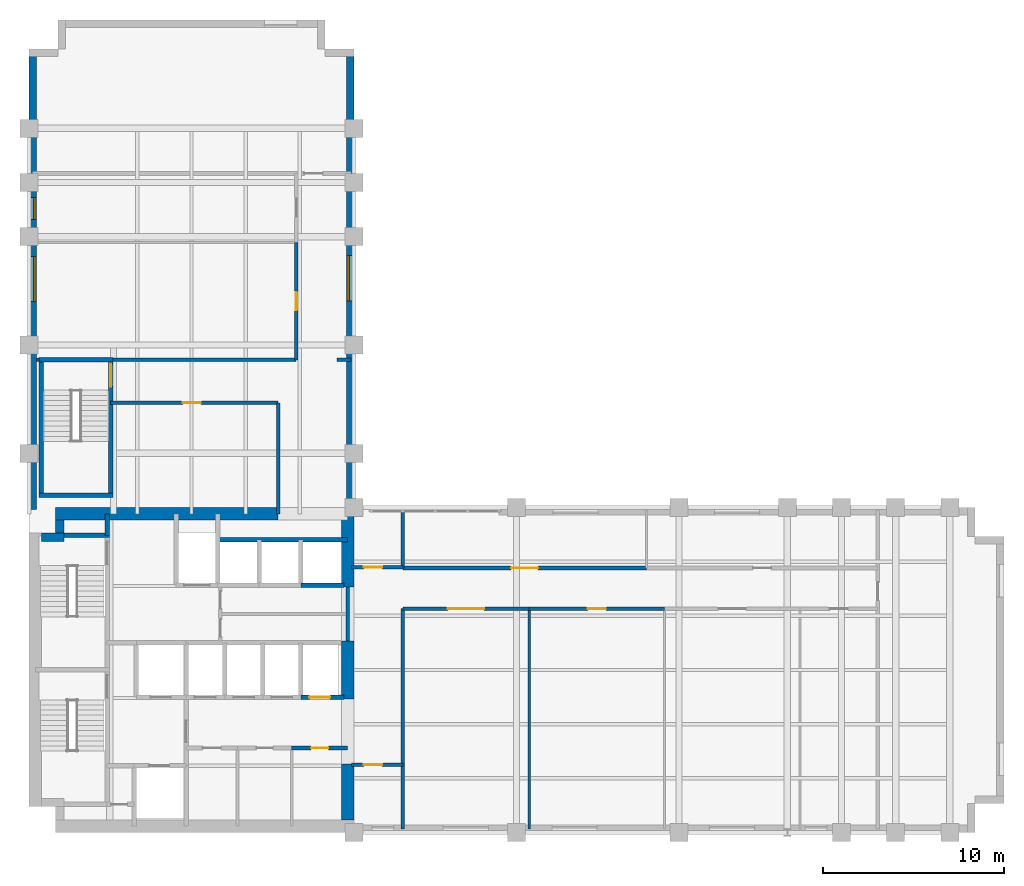
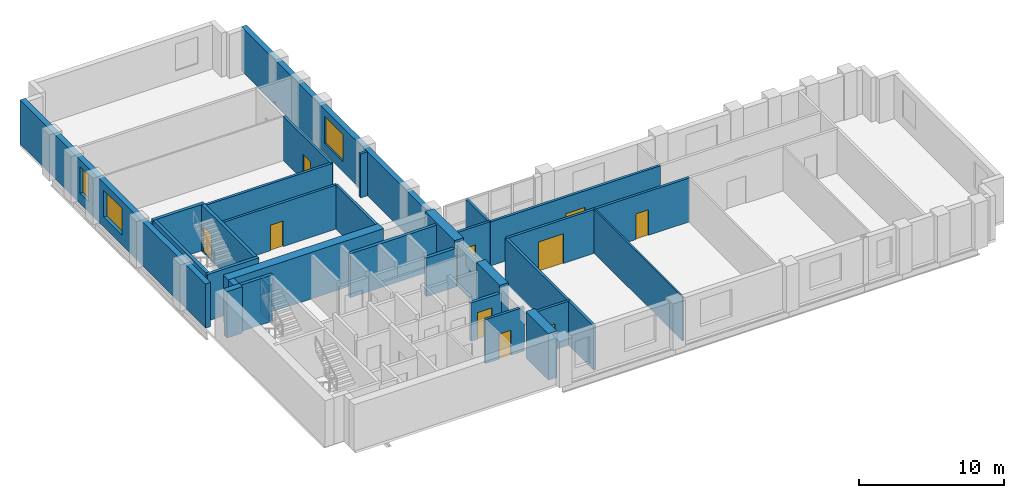
# One storey, part 5 of 8: 33 walls, 10 doors, 3 windows, 13 openings.
"""IFC4 building model written with IfcOpenShell, lengths in metres."""

from ifc_helpers import new_model, si_unit, direction, frame, frame_2d, origin, place, context, subcontext, project, spatial, rectangle, extrude, material, layer, layer_set, type_object, element, fill, save


model = new_model("IFC4")

# Units and contexts
model_context = context("Model", 3, precision=1e-05, world=origin(), true_north=direction((0.0, 1.0)))
body_context = subcontext(model_context, "Body", "Model", "MODEL_VIEW")
ifc_project = project(units=[si_unit("LENGTHUNIT", "METRE"), si_unit("AREAUNIT", "SQUARE_METRE"), si_unit("VOLUMEUNIT", "CUBIC_METRE"), si_unit("PLANEANGLEUNIT", "RADIAN"), si_unit("MASSUNIT", "GRAM", prefix="KILO")], contexts=[model_context])

# Site, building, storey
site_placement = place(None, origin())
site = spatial("IfcSite", under=ifc_project, at=site_placement, CompositionType="ELEMENT")
building_placement = place(site_placement, origin())
building = spatial("IfcBuilding", under=site, at=building_placement, Name="Mawjdan Bourse Tower", CompositionType="ELEMENT")
storey_placement = place(building_placement, frame((0.0, 0.0, 132.300048828125)))
storey = spatial("IfcBuildingStorey", under=building, at=storey_placement, Name="L31", CompositionType="ELEMENT", Elevation=132.300048828125)

# Wall, opening, window
ifc_material_1 = material(Name="Brick Masonry Buff", Category="masonry")
ifc_layer_1 = layer(ifc_material_1, 0.419921875)
ifc_layer_set_1 = layer_set([ifc_layer_1], Name="Brick Masonry Buff")
wall_type_1 = type_object("IfcWallType", Name="WL-BRK-BUFF-420", PredefinedType="STANDARD", material=ifc_layer_set_1)
wall_1_placement = place(storey_placement, frame((23.7900390625, 21.0, 0.0), z_axis=(0.0, 0.0, 1.0), x_axis=(0.0, 1.0, 0.0)))
wall_1 = element("IfcWall", 1, at=wall_1_placement, inside=storey, type_object=wall_type_1, Name="L31 Exterior Brick Wall 8", PredefinedType="STANDARD", context=body_context, shape_type="SweptSolid", body=[
    extrude(rectangle(XDim=25.39990234375, YDim=0.419921875, at=frame_2d((12.699951171875, 0.0))), origin(), (0.0, 0.0, 1.0), 3.699951171875),
])
opening_1_placement = place(wall_1_placement, frame((11.449951171875, 0.0, 0.85009765625)))
opening_1 = element("IfcOpeningElement", 2, at=opening_1_placement, cuts=wall_1, Name="Opening W-L31-05", PredefinedType="OPENING", context=body_context, shape_type="SweptSolid", body=[
    extrude(rectangle(XDim=2.5, YDim=2.25, at=frame_2d((1.25, 1.125))), frame((0.0, 0.219970703125, 0.0), z_axis=(0.0, -1.0, 0.0), x_axis=(1.0, 0.0, 0.0)), (0.0, 0.0, 1.0), 0.43994140625),
])
ifc_material_2 = material(Name="Solar-Control Clear Double Glazing", Category="glass")
window_type_1 = type_object("IfcWindowType", Name="WN-Z2-2500", PartitioningType="SINGLE_PANEL", PredefinedType="WINDOW", material=ifc_material_2)
window_1_placement = place(opening_1_placement, origin())
window_1 = element("IfcWindow", 3, at=window_1_placement, inside=storey, type_object=window_type_1, Name="L31 Deep-Set Masonry Window W-L31-05", OverallHeight=2.25, OverallWidth=2.5, PartitioningType="SINGLE_PANEL", PredefinedType="WINDOW", context=body_context, shape_type="SweptSolid", body=[
    extrude(rectangle(XDim=2.5, YDim=2.25, at=frame_2d((1.25, 1.125))), frame((0.0, 0.110107421875, 0.0), z_axis=(0.0, -1.0, 0.0), x_axis=(1.0, 0.0, 0.0)), (0.0, 0.0, 1.0), 0.06005859375),
])
fill(opening_1, window_1)

# Wall, openings, windows
wall_2_placement = place(storey_placement, frame((6.2099609375, 46.39990234375, 0.0), z_axis=(0.0, 0.0, 1.0), x_axis=(0.0, -1.0, 0.0)))
wall_2 = element("IfcWall", 4, at=wall_2_placement, inside=storey, type_object=wall_type_1, Name="L31 Exterior Brick Wall 14", PredefinedType="STANDARD", context=body_context, shape_type="SweptSolid", body=[
    extrude(rectangle(XDim=25.5, YDim=0.419921875, at=frame_2d((12.75, 0.0))), origin(), (0.0, 0.0, 1.0), 3.699951171875),
])
opening_2_placement = place(wall_2_placement, frame((11.5, 0.0, 0.85009765625)))
opening_2 = element("IfcOpeningElement", 5, at=opening_2_placement, cuts=wall_2, Name="Opening W-L31-07", PredefinedType="OPENING", context=body_context, shape_type="SweptSolid", body=[
    extrude(rectangle(XDim=2.5, YDim=2.25, at=frame_2d((1.25, 1.125))), frame((0.0, 0.219970703125, 0.0), z_axis=(0.0, -1.0, 0.0), x_axis=(1.0, 0.0, 0.0)), (0.0, 0.0, 1.0), 0.43994140625),
])
opening_3_placement = place(wall_2_placement, frame((8.236083984375, 0.0, 0.85009765625)))
opening_3 = element("IfcOpeningElement", 6, at=opening_3_placement, cuts=wall_2, Name="Opening W-L31-13", PredefinedType="OPENING", context=body_context, shape_type="SweptSolid", body=[
    extrude(rectangle(XDim=1.199951171875, YDim=2.25, at=frame_2d((0.60009765625, 1.125))), frame((0.0, 0.219970703125, 0.0), z_axis=(0.0, -1.0, 0.0), x_axis=(1.0, 0.0, 0.0)), (0.0, 0.0, 1.0), 0.43994140625),
])
window_type_2 = type_object("IfcWindowType", Name="WN-Z2-1200", PartitioningType="SINGLE_PANEL", PredefinedType="WINDOW", material=ifc_material_2)
window_2_placement = place(opening_3_placement, origin())
window_2 = element("IfcWindow", 7, at=window_2_placement, inside=storey, type_object=window_type_2, Name="L31 Deep-Set Masonry Window W-L31-13", OverallHeight=2.25, OverallWidth=1.199951171875, PartitioningType="SINGLE_PANEL", PredefinedType="WINDOW", context=body_context, shape_type="SweptSolid", body=[
    extrude(rectangle(XDim=1.199951171875, YDim=2.25, at=frame_2d((0.60009765625, 1.125))), frame((0.0, 0.110107421875, 0.0), z_axis=(0.0, -1.0, 0.0), x_axis=(1.0, 0.0, 0.0)), (0.0, 0.0, 1.0), 0.06005859375),
])
fill(opening_3, window_2)
window_3_placement = place(opening_2_placement, origin())
window_3 = element("IfcWindow", 8, at=window_3_placement, inside=storey, type_object=window_type_1, Name="L31 Deep-Set Masonry Window W-L31-07", OverallHeight=2.25, OverallWidth=2.5, PartitioningType="SINGLE_PANEL", PredefinedType="WINDOW", context=body_context, shape_type="SweptSolid", body=[
    extrude(rectangle(XDim=2.5, YDim=2.25, at=frame_2d((1.25, 1.125))), frame((0.0, 0.110107421875, 0.0), z_axis=(0.0, -1.0, 0.0), x_axis=(1.0, 0.0, 0.0)), (0.0, 0.0, 1.0), 0.06005859375),
])
fill(opening_2, window_3)

# Wall, opening, door
ifc_material_3 = material(Name="Gypsum Fireboard Assembly")
ifc_layer_2 = layer(ifc_material_3, 0.199951171875)
ifc_layer_set_2 = layer_set([ifc_layer_2], Name="Gypsum Fireboard Assembly")
wall_type_2 = type_object("IfcWallType", Name="WL-CMP-200", PredefinedType="PARTITIONING", material=ifc_layer_set_2)
wall_3_placement = place(storey_placement, frame((20.550048828125, 7.679931640625, 0.0), z_axis=(0.0, 0.0, 1.0), x_axis=(1.0, 0.0, 0.0)))
wall_3 = element("IfcWall", 9, at=wall_3_placement, inside=storey, type_object=wall_type_2, Name="L31 Staff Tea Pantry North Wall", PredefinedType="PARTITIONING", context=body_context, shape_type="SweptSolid", body=[
    extrude(rectangle(XDim=3.099853515625, YDim=0.199951171875, at=frame_2d((1.5498046875, 0.0))), origin(), (0.0, 0.0, 1.0), 3.68994140625),
])
opening_4_placement = place(wall_3_placement, frame((1.074951171875, 0.0, 0.0)))
opening_4 = element("IfcOpeningElement", 10, at=opening_4_placement, cuts=wall_3, Name="Opening D-L31-12", PredefinedType="OPENING", context=body_context, shape_type="SweptSolid", body=[
    extrude(rectangle(XDim=0.949951171875, YDim=2.10009765625, at=frame_2d((0.47509765625, 1.050048828125))), frame((0.0, 0.10986328125, 0.0), z_axis=(0.0, -1.0, 0.0), x_axis=(1.0, 0.0, 0.0)), (0.0, 0.0, 1.0), 0.219970703125),
])
ifc_material_4 = material(Name="Moisture-Resistant Laminate Timber", Category="wood")
door_type_1 = type_object("IfcDoorType", Name="DR-WET-0950", OperationType="NOTDEFINED", PredefinedType="DOOR", material=ifc_material_4)
door_1_placement = place(opening_4_placement, origin())
door_1 = element("IfcDoor", 11, at=door_1_placement, inside=storey, type_object=door_type_1, Name="L31 Staff Tea Pantry Door D-L31-12", OperationType="SINGLE_SWING_RIGHT", OverallHeight=2.10009765625, OverallWidth=0.949951171875, PredefinedType="DOOR", context=body_context, shape_type="SweptSolid", body=[
    extrude(rectangle(XDim=0.949951171875, YDim=2.10009765625, at=frame_2d((0.47509765625, 1.050048828125))), frame((0.0, 0.02490234375, 0.0), z_axis=(0.0, -1.0, 0.0), x_axis=(1.0, 0.0, 0.0)), (0.0, 0.0, 1.0), 0.050048828125),
])
fill(opening_4, door_1)

# Wall
wall_4_placement = place(storey_placement, frame((23.64990234375, 13.60009765625, 0.0), z_axis=(0.0, 0.0, 1.0), x_axis=(0.0, 1.0, 0.0)))
element("IfcWall", 12, at=wall_4_placement, inside=storey, type_object=wall_type_2, Name="L31 Core Restroom East Enclosing Wall", PredefinedType="PARTITIONING", context=body_context, shape_type="SweptSolid", body=[
    extrude(rectangle(XDim=3.0, YDim=0.199951171875, at=frame_2d((1.5, 0.0))), origin(), (0.0, 0.0, 1.0), 3.68994140625),
])

# Wall, opening, door
wall_5_placement = place(storey_placement, frame((23.85009765625, 6.75, 0.0), z_axis=(0.0, 0.0, 1.0), x_axis=(1.0, 0.0, 0.0)))
wall_5 = element("IfcWall", 13, at=wall_5_placement, inside=storey, type_object=wall_type_2, Name="L31 West Pocket North Wall", PredefinedType="PARTITIONING", context=body_context, shape_type="SweptSolid", body=[
    extrude(rectangle(XDim=2.849853515625, YDim=0.199951171875, at=frame_2d((1.4248046875, 0.0))), origin(), (0.0, 0.0, 1.0), 3.68994140625),
])
opening_5_placement = place(wall_5_placement, frame((0.699951171875, 0.0, 0.0)))
opening_5 = element("IfcOpeningElement", 14, at=opening_5_placement, cuts=wall_5, Name="Opening D-L31-20", PredefinedType="OPENING", context=body_context, shape_type="SweptSolid", body=[
    extrude(rectangle(XDim=1.0, YDim=2.14990234375, at=frame_2d((0.5, 1.074951171875))), frame((0.0, 0.10986328125, 0.0), z_axis=(0.0, -1.0, 0.0), x_axis=(1.0, 0.0, 0.0)), (0.0, 0.0, 1.0), 0.219970703125),
])
ifc_material_5 = material(Name="Hardwood Acoustic Leaf", Category="wood")
door_type_2 = type_object("IfcDoorType", Name="DR-OFC-1000", OperationType="NOTDEFINED", PredefinedType="DOOR", material=ifc_material_5)
door_2_placement = place(opening_5_placement, origin())
door_2 = element("IfcDoor", 15, at=door_2_placement, inside=storey, type_object=door_type_2, Name="L31 West Pocket Office Door D-L31-20", OperationType="SINGLE_SWING_RIGHT", OverallHeight=2.14990234375, OverallWidth=1.0, PredefinedType="DOOR", context=body_context, shape_type="SweptSolid", body=[
    extrude(rectangle(XDim=1.0, YDim=2.14990234375, at=frame_2d((0.5, 1.074951171875))), frame((0.0, 0.02490234375, 0.0), z_axis=(0.0, -1.0, 0.0), x_axis=(1.0, 0.0, 0.0)), (0.0, 0.0, 1.0), 0.050048828125),
])
fill(opening_5, door_2)

wall_6_placement = place(storey_placement, frame((23.85009765625, 17.699951171875, 0.0), z_axis=(0.0, 0.0, 1.0), x_axis=(1.0, 0.0, 0.0)))
wall_6 = element("IfcWall", 16, at=wall_6_placement, inside=storey, type_object=wall_type_2, Name="L31 West North Pocket Wall", PredefinedType="PARTITIONING", context=body_context, shape_type="SweptSolid", body=[
    extrude(rectangle(XDim=2.849853515625, YDim=0.199951171875, at=frame_2d((1.4248046875, 0.0))), origin(), (0.0, 0.0, 1.0), 3.68994140625),
])
opening_6_placement = place(wall_6_placement, frame((0.699951171875, 0.0, 0.0)))
opening_6 = element("IfcOpeningElement", 17, at=opening_6_placement, cuts=wall_6, Name="Opening D-L31-21", PredefinedType="OPENING", context=body_context, shape_type="SweptSolid", body=[
    extrude(rectangle(XDim=1.0, YDim=2.14990234375, at=frame_2d((0.5, 1.074951171875))), frame((0.0, 0.10986328125, 0.0), z_axis=(0.0, -1.0, 0.0), x_axis=(1.0, 0.0, 0.0)), (0.0, 0.0, 1.0), 0.219970703125),
])
door_3_placement = place(opening_6_placement, origin())
door_3 = element("IfcDoor", 18, at=door_3_placement, inside=storey, type_object=door_type_2, Name="L31 West North Pocket Door D-L31-21", OperationType="SINGLE_SWING_LEFT", OverallHeight=2.14990234375, OverallWidth=1.0, PredefinedType="DOOR", context=body_context, shape_type="SweptSolid", body=[
    extrude(rectangle(XDim=1.0, YDim=2.14990234375, at=frame_2d((0.5, 1.074951171875))), frame((0.0, 0.02490234375, 0.0), z_axis=(0.0, -1.0, 0.0), x_axis=(1.0, 0.0, 0.0)), (0.0, 0.0, 1.0), 0.050048828125),
])
fill(opening_6, door_3)

# Walls
wall_7_placement = place(storey_placement, frame((26.699951171875, 3.179931640625, 0.0), z_axis=(0.0, 0.0, 1.0), x_axis=(0.0, 1.0, 0.0)))
element("IfcWall", 19, at=wall_7_placement, inside=storey, type_object=wall_type_2, Name="L31 Vestibule South East Wall", PredefinedType="PARTITIONING", context=body_context, shape_type="SweptSolid", body=[
    extrude(rectangle(XDim=12.219970703125, YDim=0.199951171875, at=frame_2d((6.10986328125, 0.0))), origin(), (0.0, 0.0, 1.0), 3.68994140625),
])
wall_8_placement = place(storey_placement, frame((26.699951171875, 17.64990234375, 0.0), z_axis=(0.0, 0.0, 1.0), x_axis=(0.0, 1.0, 0.0)))
element("IfcWall", 20, at=wall_8_placement, inside=storey, type_object=wall_type_2, Name="L31 Vestibule North East Wall", PredefinedType="PARTITIONING", context=body_context, shape_type="SweptSolid", body=[
    extrude(rectangle(XDim=3.170166015625, YDim=0.199951171875, at=frame_2d((1.5849609375, 0.0))), origin(), (0.0, 0.0, 1.0), 3.68994140625),
])

# Wall, opening, door
wall_9_placement = place(storey_placement, frame((26.699951171875, 15.39990234375, 0.0), z_axis=(0.0, 0.0, 1.0), x_axis=(1.0, 0.0, 0.0)))
wall_9 = element("IfcWall", 21, at=wall_9_placement, inside=storey, type_object=wall_type_2, Name="L31 Custody Services Hall Corridor Wall", PredefinedType="PARTITIONING", context=body_context, shape_type="SweptSolid", body=[
    extrude(rectangle(XDim=7.0, YDim=0.199951171875, at=frame_2d((3.5, 0.0))), origin(), (0.0, 0.0, 1.0), 3.68994140625),
])
opening_7_placement = place(wall_9_placement, frame((2.5, 0.0, 0.0)))
opening_7 = element("IfcOpeningElement", 22, at=opening_7_placement, cuts=wall_9, Name="Opening D-L31-22", PredefinedType="OPENING", context=body_context, shape_type="SweptSolid", body=[
    extrude(rectangle(XDim=2.0, YDim=2.5, at=frame_2d((1.0, 1.25))), frame((0.0, 0.10986328125, 0.0), z_axis=(0.0, -1.0, 0.0), x_axis=(1.0, 0.0, 0.0)), (0.0, 0.0, 1.0), 0.219970703125),
])
ifc_material_6 = material(Name="Acoustic Veneered Timber", Category="wood")
door_type_3 = type_object("IfcDoorType", Name="DR-ASM-2000", OperationType="DOUBLE_DOOR_SINGLE_SWING", PredefinedType="DOOR", material=ifc_material_6)
door_4_placement = place(opening_7_placement, origin())
door_4 = element("IfcDoor", 23, at=door_4_placement, inside=storey, type_object=door_type_3, Name="L31 Custody Services Hall Door D-L31-22", OperationType="DOUBLE_DOOR_SINGLE_SWING", OverallHeight=2.5, OverallWidth=2.0, PredefinedType="DOOR", context=body_context, shape_type="SweptSolid", body=[
    extrude(rectangle(XDim=2.0, YDim=2.5, at=frame_2d((1.0, 1.25))), frame((0.0, 0.02490234375, 0.0), z_axis=(0.0, -1.0, 0.0), x_axis=(1.0, 0.0, 0.0)), (0.0, 0.0, 1.0), 0.050048828125),
])
fill(opening_7, door_4)

wall_10_placement = place(storey_placement, frame((33.699951171875, 15.39990234375, 0.0), z_axis=(0.0, 0.0, 1.0), x_axis=(1.0, 0.0, 0.0)))
wall_10 = element("IfcWall", 24, at=wall_10_placement, inside=storey, type_object=wall_type_2, Name="L31 Executive Office Corridor Wall", PredefinedType="PARTITIONING", context=body_context, shape_type="SweptSolid", body=[
    extrude(rectangle(XDim=7.5, YDim=0.199951171875, at=frame_2d((3.75, 0.0))), origin(), (0.0, 0.0, 1.0), 3.68994140625),
])
opening_8_placement = place(wall_10_placement, frame((3.25, 0.0, 0.0)))
opening_8 = element("IfcOpeningElement", 25, at=opening_8_placement, cuts=wall_10, Name="Opening D-L31-23", PredefinedType="OPENING", context=body_context, shape_type="SweptSolid", body=[
    extrude(rectangle(XDim=1.0, YDim=2.14990234375, at=frame_2d((0.5, 1.074951171875))), frame((0.0, 0.10986328125, 0.0), z_axis=(0.0, -1.0, 0.0), x_axis=(1.0, 0.0, 0.0)), (0.0, 0.0, 1.0), 0.219970703125),
])
door_5_placement = place(opening_8_placement, origin())
door_5 = element("IfcDoor", 26, at=door_5_placement, inside=storey, type_object=door_type_2, Name="L31 Executive Office Door D-L31-23", OperationType="SINGLE_SWING_RIGHT", OverallHeight=2.14990234375, OverallWidth=1.0, PredefinedType="DOOR", context=body_context, shape_type="SweptSolid", body=[
    extrude(rectangle(XDim=1.0, YDim=2.14990234375, at=frame_2d((0.5, 1.074951171875))), frame((0.0, 0.02490234375, 0.0), z_axis=(0.0, -1.0, 0.0), x_axis=(1.0, 0.0, 0.0)), (0.0, 0.0, 1.0), 0.050048828125),
])
fill(opening_8, door_5)

wall_11_placement = place(storey_placement, frame((26.699951171875, 17.64990234375, 0.0), z_axis=(0.0, 0.0, 1.0), x_axis=(1.0, 0.0, 0.0)))
wall_11 = element("IfcWall", 27, at=wall_11_placement, inside=storey, type_object=wall_type_2, Name="L31 Conference Room Corridor Wall", PredefinedType="PARTITIONING", context=body_context, shape_type="SweptSolid", body=[
    extrude(rectangle(XDim=13.5, YDim=0.199951171875, at=frame_2d((6.75, 0.0))), origin(), (0.0, 0.0, 1.0), 3.68994140625),
])
opening_9_placement = place(wall_11_placement, frame((6.0, 0.0, 0.0)))
opening_9 = element("IfcOpeningElement", 28, at=opening_9_placement, cuts=wall_11, Name="Opening D-L31-26", PredefinedType="OPENING", context=body_context, shape_type="SweptSolid", body=[
    extrude(rectangle(XDim=1.5, YDim=2.300048828125, at=frame_2d((0.75, 1.14990234375))), frame((0.0, 0.10986328125, 0.0), z_axis=(0.0, -1.0, 0.0), x_axis=(1.0, 0.0, 0.0)), (0.0, 0.0, 1.0), 0.219970703125),
])
ifc_material_7 = material(Name="Acoustic Glazed Timber", Category="wood")
door_type_4 = type_object("IfcDoorType", Name="DR-CNF-1500", OperationType="DOUBLE_DOOR_SINGLE_SWING", PredefinedType="DOOR", material=ifc_material_7)
door_6_placement = place(opening_9_placement, origin())
door_6 = element("IfcDoor", 29, at=door_6_placement, inside=storey, type_object=door_type_4, Name="L31 Conference Room Door D-L31-26", OperationType="DOUBLE_DOOR_SINGLE_SWING", OverallHeight=2.300048828125, OverallWidth=1.5, PredefinedType="DOOR", context=body_context, shape_type="SweptSolid", body=[
    extrude(rectangle(XDim=1.5, YDim=2.300048828125, at=frame_2d((0.75, 1.14990234375))), frame((0.0, 0.02490234375, 0.0), z_axis=(0.0, -1.0, 0.0), x_axis=(1.0, 0.0, 0.0)), (0.0, 0.0, 1.0), 0.050048828125),
])
fill(opening_9, door_6)

wall_12_placement = place(storey_placement, frame((10.52001953125, 26.800048828125, 0.0), z_axis=(0.0, 0.0, 1.0), x_axis=(1.0, 0.0, 0.0)))
wall_12 = element("IfcWall", 30, at=wall_12_placement, inside=storey, type_object=wall_type_2, Name="L31 North Throat North Wall", PredefinedType="PARTITIONING", context=body_context, shape_type="SweptSolid", body=[
    extrude(rectangle(XDim=9.280029296875, YDim=0.199951171875, at=frame_2d((4.64013671875, 0.0))), origin(), (0.0, 0.0, 1.0), 3.68994140625),
])
opening_10_placement = place(wall_12_placement, frame((4.0, 0.0, 0.0)))
opening_10 = element("IfcOpeningElement", 31, at=opening_10_placement, cuts=wall_12, Name="Opening D-L31-29", PredefinedType="OPENING", context=body_context, shape_type="SweptSolid", body=[
    extrude(rectangle(XDim=1.0, YDim=2.14990234375, at=frame_2d((0.5, 1.074951171875))), frame((0.0, 0.10986328125, 0.0), z_axis=(0.0, -1.0, 0.0), x_axis=(1.0, 0.0, 0.0)), (0.0, 0.0, 1.0), 0.219970703125),
])
door_7_placement = place(opening_10_placement, origin())
door_7 = element("IfcDoor", 32, at=door_7_placement, inside=storey, type_object=door_type_2, Name="L31 North Throat Suite Door D-L31-29", OperationType="SINGLE_SWING_RIGHT", OverallHeight=2.14990234375, OverallWidth=1.0, PredefinedType="DOOR", context=body_context, shape_type="SweptSolid", body=[
    extrude(rectangle(XDim=1.0, YDim=2.14990234375, at=frame_2d((0.5, 1.074951171875))), frame((0.0, 0.02490234375, 0.0), z_axis=(0.0, -1.0, 0.0), x_axis=(1.0, 0.0, 0.0)), (0.0, 0.0, 1.0), 0.050048828125),
])
fill(opening_10, door_7)

# Walls
wall_13_placement = place(storey_placement, frame((19.800048828125, 20.64990234375, 0.0), z_axis=(0.0, 0.0, 1.0), x_axis=(0.0, 1.0, 0.0)))
element("IfcWall", 33, at=wall_13_placement, inside=storey, type_object=wall_type_2, Name="L31 North Throat East Wall", PredefinedType="PARTITIONING", context=body_context, shape_type="SweptSolid", body=[
    extrude(rectangle(XDim=6.150146484375, YDim=0.199951171875, at=frame_2d((3.0751953125, 0.0))), origin(), (0.0, 0.0, 1.0), 3.68994140625),
])
wall_14_placement = place(storey_placement, frame((6.419921875, 29.179931640625, 0.0), z_axis=(0.0, 0.0, 1.0), x_axis=(1.0, 0.0, 0.0)))
element("IfcWall", 34, at=wall_14_placement, inside=storey, type_object=wall_type_2, Name="L31 North West Band ST3 West Return", PredefinedType="PARTITIONING", context=body_context, shape_type="SweptSolid", body=[
    extrude(rectangle(XDim=0.135009765625, YDim=0.199951171875, at=frame_2d((0.0673828125, 0.0))), origin(), (0.0, 0.0, 1.0), 3.68994140625),
])
wall_15_placement = place(storey_placement, frame((10.6298828125, 29.179931640625, 0.0), z_axis=(0.0, 0.0, 1.0), x_axis=(1.0, 0.0, 0.0)))
element("IfcWall", 35, at=wall_15_placement, inside=storey, type_object=wall_type_2, Name="L31 North West Band South Wall", PredefinedType="PARTITIONING", context=body_context, shape_type="SweptSolid", body=[
    extrude(rectangle(XDim=10.170166015625, YDim=0.199951171875, at=frame_2d((5.0849609375, 0.0))), origin(), (0.0, 0.0, 1.0), 3.68994140625),
])
wall_16_placement = place(storey_placement, frame((23.050048828125, 29.179931640625, 0.0), z_axis=(0.0, 0.0, 1.0), x_axis=(1.0, 0.0, 0.0)))
element("IfcWall", 36, at=wall_16_placement, inside=storey, type_object=wall_type_2, Name="L31 North East Band South Wall", PredefinedType="PARTITIONING", context=body_context, shape_type="SweptSolid", body=[
    extrude(rectangle(XDim=0.77001953125, YDim=0.199951171875, at=frame_2d((0.385009765625, 0.0))), origin(), (0.0, 0.0, 1.0), 3.68994140625),
])

# Wall, opening, door
wall_17_placement = place(storey_placement, frame((20.800048828125, 29.179931640625, 0.0), z_axis=(0.0, 0.0, 1.0), x_axis=(0.0, 1.0, 0.0)))
wall_17 = element("IfcWall", 37, at=wall_17_placement, inside=storey, type_object=wall_type_2, Name="L31 Executive Office Corridor Wall", PredefinedType="PARTITIONING", context=body_context, shape_type="SweptSolid", body=[
    extrude(rectangle(XDim=6.5, YDim=0.199951171875, at=frame_2d((3.25, 0.0))), origin(), (0.0, 0.0, 1.0), 3.68994140625),
])
opening_11_placement = place(wall_17_placement, frame((2.75, 0.0, 0.0)))
opening_11 = element("IfcOpeningElement", 38, at=opening_11_placement, cuts=wall_17, Name="Opening D-L31-30", PredefinedType="OPENING", context=body_context, shape_type="SweptSolid", body=[
    extrude(rectangle(XDim=1.0, YDim=2.14990234375, at=frame_2d((0.5, 1.074951171875))), frame((0.0, 0.10986328125, 0.0), z_axis=(0.0, -1.0, 0.0), x_axis=(1.0, 0.0, 0.0)), (0.0, 0.0, 1.0), 0.219970703125),
])
door_8_placement = place(opening_11_placement, origin())
door_8 = element("IfcDoor", 39, at=door_8_placement, inside=storey, type_object=door_type_2, Name="L31 Executive Office Door D-L31-30", OperationType="SINGLE_SWING_LEFT", OverallHeight=2.14990234375, OverallWidth=1.0, PredefinedType="DOOR", context=body_context, shape_type="SweptSolid", body=[
    extrude(rectangle(XDim=1.0, YDim=2.14990234375, at=frame_2d((0.5, 1.074951171875))), frame((0.0, 0.02490234375, 0.0), z_axis=(0.0, -1.0, 0.0), x_axis=(1.0, 0.0, 0.0)), (0.0, 0.0, 1.0), 0.050048828125),
])
fill(opening_11, door_8)

# Walls
ifc_material_8 = material(Name="Concrete C60/75", Category="concrete")
ifc_layer_3 = layer(ifc_material_8, 0.449951171875)
ifc_layer_set_3 = layer_set([ifc_layer_3], Name="Concrete C60/75")
wall_type_3 = type_object("IfcWallType", Name="WL-CORE-450", PredefinedType="SHEAR", material=ifc_layer_set_3)
wall_18_placement = place(storey_placement, frame((6.699951171875, 19.35009765625, 0.0), z_axis=(0.0, 0.0, 1.0), x_axis=(1.0, 0.0, 0.0)))
element("IfcWall", 40, at=wall_18_placement, inside=storey, type_object=wall_type_3, Name="L31 Rear Core Shear Wall NW-X", PredefinedType="SHEAR", context=body_context, shape_type="SweptSolid", body=[
    extrude(rectangle(XDim=1.22509765625, YDim=0.449951171875, at=frame_2d((0.612548828125, 0.0))), origin(), (0.0, 0.0, 1.0), 3.89990234375),
])
wall_19_placement = place(storey_placement, frame((7.699951171875, 19.574951171875, 0.0), z_axis=(0.0, 0.0, 1.0), x_axis=(0.0, 1.0, 0.0)))
element("IfcWall", 41, at=wall_19_placement, inside=storey, type_object=wall_type_3, Name="L31 Rear Core Shear Wall NW-Y", PredefinedType="SHEAR", context=body_context, shape_type="SweptSolid", body=[
    extrude(rectangle(XDim=0.72509765625, YDim=0.449951171875, at=frame_2d((0.362548828125, 0.0))), origin(), (0.0, 0.0, 1.0), 3.89990234375),
])
ifc_material_9 = material(Name="Concrete C70/85", Category="concrete")
ifc_layer_4 = layer(ifc_material_9, 0.699951171875)
ifc_layer_set_4 = layer_set([ifc_layer_4], Name="Concrete C70/85")
wall_type_4 = type_object("IfcWallType", Name="WL-CORE-700", PredefinedType="SHEAR", material=ifc_layer_set_4)
wall_20_placement = place(storey_placement, frame((7.47509765625, 20.64990234375, 0.0), z_axis=(0.0, 0.0, 1.0), x_axis=(1.0, 0.0, 0.0)))
element("IfcWall", 42, at=wall_20_placement, inside=storey, type_object=wall_type_4, Name="L31 Rear Core Shear Wall N", PredefinedType="SHEAR", context=body_context, shape_type="SweptSolid", body=[
    extrude(rectangle(XDim=12.324951171875, YDim=0.699951171875, at=frame_2d((6.16259765625, 0.0))), origin(), (0.0, 0.0, 1.0), 3.89990234375),
])
wall_21_placement = place(storey_placement, frame((23.64990234375, 3.699951171875, 0.0), z_axis=(0.0, 0.0, 1.0), x_axis=(0.0, 1.0, 0.0)))
element("IfcWall", 43, at=wall_21_placement, inside=storey, type_object=wall_type_4, Name="L31 Rear Core Shear Wall E1", PredefinedType="SHEAR", context=body_context, shape_type="SweptSolid", body=[
    extrude(rectangle(XDim=3.10009765625, YDim=0.699951171875, at=frame_2d((1.550048828125, 0.0))), origin(), (0.0, 0.0, 1.0), 3.89990234375),
])
wall_22_placement = place(storey_placement, frame((23.64990234375, 10.39990234375, 0.0), z_axis=(0.0, 0.0, 1.0), x_axis=(0.0, 1.0, 0.0)))
element("IfcWall", 44, at=wall_22_placement, inside=storey, type_object=wall_type_4, Name="L31 Rear Core Shear Wall E2", PredefinedType="SHEAR", context=body_context, shape_type="SweptSolid", body=[
    extrude(rectangle(XDim=3.2001953125, YDim=0.699951171875, at=frame_2d((1.60009765625, 0.0))), origin(), (0.0, 0.0, 1.0), 3.89990234375),
])
wall_23_placement = place(storey_placement, frame((23.64990234375, 16.60009765625, 0.0), z_axis=(0.0, 0.0, 1.0), x_axis=(0.0, 1.0, 0.0)))
element("IfcWall", 45, at=wall_23_placement, inside=storey, type_object=wall_type_4, Name="L31 Rear Core Shear Wall E3", PredefinedType="SHEAR", context=body_context, shape_type="SweptSolid", body=[
    extrude(rectangle(XDim=4.0498046875, YDim=0.699951171875, at=frame_2d((2.02490234375, 0.0))), origin(), (0.0, 0.0, 1.0), 3.89990234375),
])
ifc_material_10 = material(Name="Gypsum Partition")
ifc_layer_5 = layer(ifc_material_10, 0.125)
ifc_layer_set_5 = layer_set([ifc_layer_5], Name="Gypsum Partition")
wall_type_5 = type_object("IfcWallType", Name="WL-PRT-125", PredefinedType="PARTITIONING", material=ifc_layer_set_5)
wall_24_placement = place(storey_placement, frame((33.699951171875, 3.179931640625, 0.0), z_axis=(0.0, 0.0, 1.0), x_axis=(0.0, 1.0, 0.0)))
element("IfcWall", 46, at=wall_24_placement, inside=storey, type_object=wall_type_5, Name="L31 Executive Office Partition", PredefinedType="PARTITIONING", context=body_context, shape_type="SweptSolid", body=[
    extrude(rectangle(XDim=12.219970703125, YDim=0.125, at=frame_2d((6.10986328125, 0.0))), origin(), (0.0, 0.0, 1.0), 3.68994140625),
])
ifc_material_11 = material(Name="Concrete C50/60", Category="concrete")
ifc_layer_6 = layer(ifc_material_11, 0.25)
ifc_layer_set_6 = layer_set([ifc_layer_6], Name="Concrete C50/60")
wall_type_6 = type_object("IfcWallType", Name="WL-SHFT-250", PredefinedType="PARTITIONING", material=ifc_layer_set_6)
wall_25_placement = place(storey_placement, frame((10.330078125, 19.449951171875, 0.0), z_axis=(0.0, 0.0, 1.0), x_axis=(0.0, 1.0, 0.0)))
element("IfcWall", 47, at=wall_25_placement, inside=storey, type_object=wall_type_6, Name="L31 NW Riser East Wall", PredefinedType="PARTITIONING", context=body_context, shape_type="SweptSolid", body=[
    extrude(rectangle(XDim=1.199951171875, YDim=0.25, at=frame_2d((0.60009765625, 0.0))), origin(), (0.0, 0.0, 1.0), 2.993896484375),
])
wall_26_placement = place(storey_placement, frame((21.050048828125, 16.699951171875, 0.0), z_axis=(0.0, 0.0, 1.0), x_axis=(1.0, 0.0, 0.0)))
element("IfcWall", 48, at=wall_26_placement, inside=storey, type_object=wall_type_6, Name="L31 PH-03 Front Wall", PredefinedType="PARTITIONING", context=body_context, shape_type="SweptSolid", body=[
    extrude(rectangle(XDim=2.39990234375, YDim=0.25, at=frame_2d((1.199951171875, 0.0))), origin(), (0.0, 0.0, 1.0), 3.23291015625),
])
wall_27_placement = place(storey_placement, frame((16.449951171875, 19.199951171875, 0.0), z_axis=(0.0, 0.0, 1.0), x_axis=(1.0, 0.0, 0.0)))
element("IfcWall", 49, at=wall_27_placement, inside=storey, type_object=wall_type_6, Name="L31 PH Bank North Shaft Back Wall", PredefinedType="PARTITIONING", context=body_context, shape_type="SweptSolid", body=[
    extrude(rectangle(XDim=7.199951171875, YDim=0.25, at=frame_2d((3.60009765625, 0.0))), origin(), (0.0, 0.0, 1.0), 3.68994140625),
])

# Wall, opening, door
wall_28_placement = place(storey_placement, frame((21.050048828125, 10.5, 0.0), z_axis=(0.0, 0.0, 1.0), x_axis=(1.0, 0.0, 0.0)))
wall_28 = element("IfcWall", 50, at=wall_28_placement, inside=storey, type_object=wall_type_6, Name="L31 PM-04 Front Wall", PredefinedType="PARTITIONING", context=body_context, shape_type="SweptSolid", body=[
    extrude(rectangle(XDim=2.39990234375, YDim=0.25, at=frame_2d((1.199951171875, 0.0))), origin(), (0.0, 0.0, 1.0), 3.23291015625),
])
opening_12_placement = place(wall_28_placement, frame((0.47998046875, 0.0, 0.0)))
opening_12 = element("IfcOpeningElement", 51, at=opening_12_placement, cuts=wall_28, Name="Opening LD-L31-16", PredefinedType="OPENING", context=body_context, shape_type="SweptSolid", body=[
    extrude(rectangle(XDim=1.14990234375, YDim=2.25, at=frame_2d((0.574951171875, 1.125))), frame((0.0, 0.135009765625, 0.0), z_axis=(0.0, -1.0, 0.0), x_axis=(1.0, 0.0, 0.0)), (0.0, 0.0, 1.0), 0.27001953125),
])
ifc_material_12 = material(Name="Brushed Stainless Steel", Category="steel")
door_type_5 = type_object("IfcDoorType", Name="LD-PAS-1150", OperationType="DOUBLE_DOOR_SLIDING", PredefinedType="DOOR", material=ifc_material_12)
door_9_placement = place(opening_12_placement, origin())
door_9 = element("IfcDoor", 52, at=door_9_placement, inside=storey, type_object=door_type_5, Name="L31 Lift PM-04 Landing Door LD-L31-16", OperationType="DOUBLE_DOOR_SLIDING", OverallHeight=2.25, OverallWidth=1.14990234375, PredefinedType="DOOR", context=body_context, shape_type="SweptSolid", body=[
    extrude(rectangle(XDim=1.14990234375, YDim=2.25, at=frame_2d((0.574951171875, 1.125))), frame((0.0, 0.02490234375, 0.0), z_axis=(0.0, -1.0, 0.0), x_axis=(1.0, 0.0, 0.0)), (0.0, 0.0, 1.0), 0.050048828125),
])
fill(opening_12, door_9)

# Walls
ifc_layer_7 = layer(ifc_material_11, 0.25)
ifc_layer_set_7 = layer_set([ifc_layer_7], Name="Concrete C50/60")
wall_type_7 = type_object("IfcWallType", Name="WL-STRW-250", PredefinedType="SHEAR", material=ifc_layer_set_7)
wall_29_placement = place(storey_placement, frame((7.699951171875, 19.449951171875, 0.0), z_axis=(0.0, 0.0, 1.0), x_axis=(1.0, 0.0, 0.0)))
element("IfcWall", 53, at=wall_29_placement, inside=storey, type_object=wall_type_7, Name="L31 Stairwell ST2 North Shaft Wall", PredefinedType="SHEAR", context=body_context, shape_type="SweptSolid", body=[
    extrude(rectangle(XDim=2.755126953125, YDim=0.25, at=frame_2d((1.37744140625, 0.0))), origin(), (0.0, 0.0, 1.0), 3.89990234375),
])
for number, where, z_axis, x_axis, name in (
    (54, (6.554931640625, 21.679931640625, 0.0), (0.0, 0.0, 1.0), (1.0, 0.0, 0.0), "L31 ST3 South Shaft Wall"),
    (55, (6.554931640625, 29.179931640625, 0.0), (0.0, 0.0, 1.0), (1.0, 0.0, 0.0), "L31 ST3 North Shaft Wall"),
):
    element("IfcWall", number, at=place(storey_placement, frame(where, z_axis=z_axis, x_axis=x_axis)), inside=storey, type_object=wall_type_7, Name=name, PredefinedType="SHEAR", context=body_context, shape_type="SweptSolid", body=[
        extrude(rectangle(XDim=4.090087890625, YDim=0.25, at=frame_2d((2.044921875, 0.0))), origin(), (0.0, 0.0, 1.0), 3.89990234375),
    ])
wall_30_placement = place(storey_placement, frame((6.679931640625, 21.679931640625, 0.0), z_axis=(0.0, 0.0, 1.0), x_axis=(0.0, 1.0, 0.0)))
element("IfcWall", 56, at=wall_30_placement, inside=storey, type_object=wall_type_7, Name="L31 ST3 West Shaft Wall", PredefinedType="SHEAR", context=body_context, shape_type="SweptSolid", body=[
    extrude(rectangle(XDim=7.5, YDim=0.25, at=frame_2d((3.75, 0.0))), origin(), (0.0, 0.0, 1.0), 3.89990234375),
])

# Wall, opening, door
wall_31_placement = place(storey_placement, frame((10.52001953125, 21.679931640625, 0.0), z_axis=(0.0, 0.0, 1.0), x_axis=(0.0, 1.0, 0.0)))
wall_31 = element("IfcWall", 57, at=wall_31_placement, inside=storey, type_object=wall_type_7, Name="L31 ST3 East Shaft Wall", PredefinedType="SHEAR", context=body_context, shape_type="SweptSolid", body=[
    extrude(rectangle(XDim=7.5, YDim=0.25, at=frame_2d((3.75, 0.0))), origin(), (0.0, 0.0, 1.0), 3.89990234375),
])
opening_13_placement = place(wall_31_placement, frame((6.02001953125, 0.0, 0.0)))
opening_13 = element("IfcOpeningElement", 58, at=opening_13_placement, cuts=wall_31, Name="Opening SD-L31-19", PredefinedType="OPENING", context=body_context, shape_type="SweptSolid", body=[
    extrude(rectangle(XDim=1.25, YDim=2.199951171875, at=frame_2d((0.625, 1.10009765625))), frame((0.0, 0.135009765625, 0.0), z_axis=(0.0, -1.0, 0.0), x_axis=(1.0, 0.0, 0.0)), (0.0, 0.0, 1.0), 0.27001953125),
])
ifc_material_13 = material(Name="Fire-Rated Steel Leaf", Category="steel")
door_type_6 = type_object("IfcDoorType", Name="FD-ST-1250", OperationType="NOTDEFINED", PredefinedType="DOOR", material=ifc_material_13)
door_10_placement = place(opening_13_placement, origin())
door_10 = element("IfcDoor", 59, at=door_10_placement, inside=storey, type_object=door_type_6, Name="L31 Stair ST3 Fire Door SD-L31-19", OperationType="SINGLE_SWING_LEFT", OverallHeight=2.199951171875, OverallWidth=1.25, PredefinedType="DOOR", context=body_context, shape_type="SweptSolid", body=[
    extrude(rectangle(XDim=1.25, YDim=2.199951171875, at=frame_2d((0.625, 1.10009765625))), frame((0.0, 0.02490234375, 0.0), z_axis=(0.0, -1.0, 0.0), x_axis=(1.0, 0.0, 0.0)), (0.0, 0.0, 1.0), 0.050048828125),
])
fill(opening_13, door_10)

save(model, "model.ifc")
